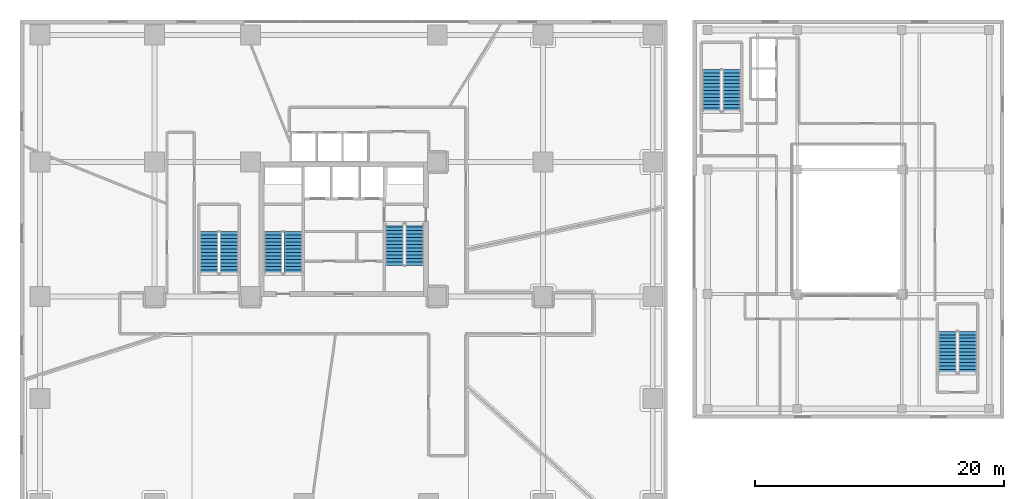
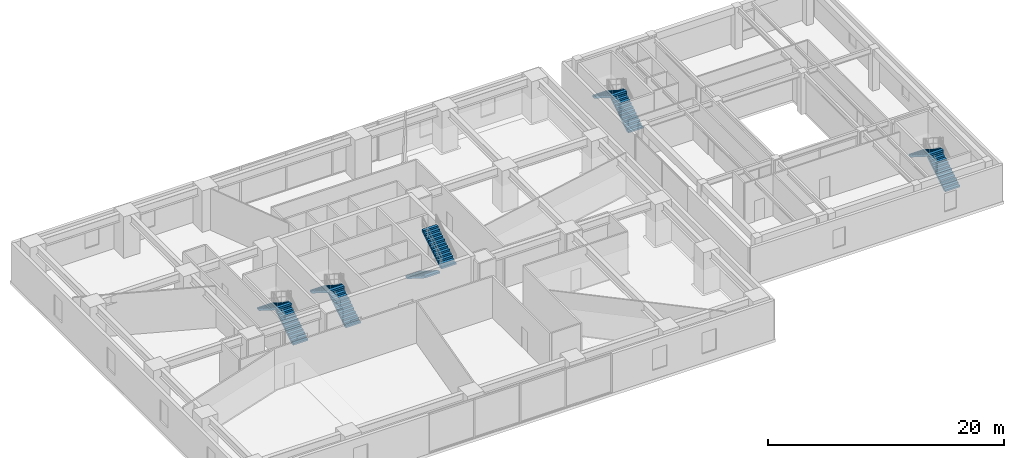
# One storey, part 21 of 24: 10 stair flights, 5 elements without a shape of their own.
"""IFC4 building model written with IfcOpenShell, lengths in metres."""

from ifc_helpers import new_model, si_unit, direction, frame, origin, place, context, subcontext, project, spatial, polyline, outline, extrude, material, layer, layer_set, type_object, element, aggregate, save


model = new_model("IFC4")

# Units and contexts
model_context = context("Model", 3, precision=1e-05, world=origin(), true_north=direction((0.0, 1.0)))
body_context = subcontext(model_context, "Body", "Model", "MODEL_VIEW")
ifc_project = project(units=[si_unit("LENGTHUNIT", "METRE"), si_unit("AREAUNIT", "SQUARE_METRE"), si_unit("VOLUMEUNIT", "CUBIC_METRE"), si_unit("PLANEANGLEUNIT", "RADIAN"), si_unit("MASSUNIT", "GRAM", prefix="KILO")], contexts=[model_context])

# Site, building, storey
site_placement = place(None, origin())
site = spatial("IfcSite", under=ifc_project, at=site_placement, CompositionType="ELEMENT")
building_placement = place(site_placement, origin())
building = spatial("IfcBuilding", under=site, at=building_placement, Name="Talar Marvaseh", CompositionType="ELEMENT")
storey_placement = place(building_placement, frame((0.0, 0.0, 9.800048828125)))
storey = spatial("IfcBuildingStorey", under=building, at=storey_placement, Name="L02", CompositionType="ELEMENT", Elevation=9.800048828125)

# Stair, stair flights
ifc_material = material(Name="Concrete C40/50", Category="concrete")
stair_type = type_object("IfcStairType", Name="Reinforced Concrete Half-Turn Exit Stair Type A", PredefinedType="HALF_TURN_STAIR", material=ifc_material)
stair_1_placement = place(storey_placement, origin())
stair_1 = element("IfcStair", 1, at=stair_1_placement, inside=storey, type_object=stair_type, Name="L02 Tower West Core Exit Stair", PredefinedType="HALF_TURN_STAIR")
ifc_layer = layer(ifc_material, 0.18505859375)
ifc_layer_set = layer_set([ifc_layer], Name="Concrete C40/50")
stair_flight_type = type_object("IfcStairFlightType", Name="Reinforced Concrete Heavy Podium Stair Flight 185", PredefinedType="STRAIGHT", material=ifc_layer_set)
stair_flight_1_placement = place(storey_placement, frame((21.93505859375, 27.64990234375, 0.0), z_axis=(0.0, 0.0, 1.0), x_axis=(0.0, 1.0, 0.0)))
stair_flight_1 = element("IfcStairFlight", 2, at=stair_flight_1_placement, type_object=stair_flight_type, Name="ST-1 flight 1", NumberOfRisers=13, NumberOfTreads=12, PredefinedType="STRAIGHT", RiserHeight=0.176923077, TreadLength=0.28, context=body_context, shape_type="SweptSolid", body=[
    extrude(outline(polyline([(0.0, 0.0), (0.0, 0.177001953125), (0.280029296875, 0.177001953125), (0.280029296875, 0.353759765625), (0.56005859375, 0.353759765625), (0.56005859375, 0.53076171875), (0.840087890625, 0.53076171875), (0.840087890625, 0.707763671875), (1.1201171875, 0.707763671875), (1.1201171875, 0.884521484375), (1.39990234375, 0.884521484375), (1.39990234375, 1.0615234375), (1.679931640625, 1.0615234375), (1.679931640625, 1.238525390625), (1.9599609375, 1.238525390625), (1.9599609375, 1.415283203125), (2.239990234375, 1.415283203125), (2.239990234375, 1.59228515625), (2.52001953125, 1.59228515625), (2.52001953125, 1.769287109375), (2.800048828125, 1.769287109375), (2.800048828125, 1.946044921875), (3.080078125, 1.946044921875), (3.080078125, 2.123046875), (3.360107421875, 2.123046875), (3.360107421875, 2.300048828125), (3.360107421875, 1.933837890625), (0.29931640625, 0.0), (0.0, 0.0)])), frame((0.0, 0.72509765625, 0.0), z_axis=(0.0, -1.0, 0.0), x_axis=(1.0, 0.0, 0.0)), (0.0, 0.0, 1.0), 1.449951171875),
])
stair_flight_2_placement = place(storey_placement, frame((20.324951171875, 31.010009765625, 2.300048828125), z_axis=(0.0, 0.0, 1.0), x_axis=(0.0, -1.0, 0.0)))
stair_flight_2 = element("IfcStairFlight", 3, at=stair_flight_2_placement, type_object=stair_flight_type, Name="ST-1 flight 2", NumberOfRisers=13, NumberOfTreads=12, PredefinedType="STRAIGHT", RiserHeight=0.176923077, TreadLength=0.28, context=body_context, shape_type="SweptSolid", body=[
    extrude(outline(polyline([(0.0, 0.0), (0.0, 0.177001953125), (0.280029296875, 0.177001953125), (0.280029296875, 0.353759765625), (0.56005859375, 0.353759765625), (0.56005859375, 0.53076171875), (0.840087890625, 0.53076171875), (0.840087890625, 0.707763671875), (1.1201171875, 0.707763671875), (1.1201171875, 0.884521484375), (1.39990234375, 0.884521484375), (1.39990234375, 1.0615234375), (1.679931640625, 1.0615234375), (1.679931640625, 1.238525390625), (1.9599609375, 1.238525390625), (1.9599609375, 1.415283203125), (2.239990234375, 1.415283203125), (2.239990234375, 1.59228515625), (2.52001953125, 1.59228515625), (2.52001953125, 1.769287109375), (2.800048828125, 1.769287109375), (2.800048828125, 1.946044921875), (3.080078125, 1.946044921875), (3.080078125, 2.123046875), (3.360107421875, 2.123046875), (3.360107421875, 2.300048828125), (3.360107421875, 1.933837890625), (0.29931640625, 0.0), (0.0, 0.0)])), frame((0.0, 0.72509765625, 0.0), z_axis=(0.0, -1.0, 0.0), x_axis=(1.0, 0.0, 0.0)), (0.0, 0.0, 1.0), 1.449951171875),
])
aggregate(stair_1, [stair_flight_1, stair_flight_2])

stair_2_placement = place(storey_placement, origin())
stair_2 = element("IfcStair", 4, at=stair_2_placement, inside=storey, type_object=stair_type, Name="L02 Tower East Core Exit Stair", PredefinedType="HALF_TURN_STAIR")
stair_flight_3_placement = place(storey_placement, frame((30.06494140625, 31.64990234375, 0.0), z_axis=(0.0, 0.0, 1.0), x_axis=(0.0, -1.0, 0.0)))
stair_flight_3 = element("IfcStairFlight", 5, at=stair_flight_3_placement, type_object=stair_flight_type, Name="ST-2 flight 1", NumberOfRisers=13, NumberOfTreads=12, PredefinedType="STRAIGHT", RiserHeight=0.176923077, TreadLength=0.28, context=body_context, shape_type="SweptSolid", body=[
    extrude(outline(polyline([(0.0, 0.0), (0.0, 0.177001953125), (0.280029296875, 0.177001953125), (0.280029296875, 0.353759765625), (0.56005859375, 0.353759765625), (0.56005859375, 0.53076171875), (0.840087890625, 0.53076171875), (0.840087890625, 0.707763671875), (1.1201171875, 0.707763671875), (1.1201171875, 0.884521484375), (1.39990234375, 0.884521484375), (1.39990234375, 1.0615234375), (1.679931640625, 1.0615234375), (1.679931640625, 1.238525390625), (1.9599609375, 1.238525390625), (1.9599609375, 1.415283203125), (2.239990234375, 1.415283203125), (2.239990234375, 1.59228515625), (2.52001953125, 1.59228515625), (2.52001953125, 1.769287109375), (2.800048828125, 1.769287109375), (2.800048828125, 1.946044921875), (3.080078125, 1.946044921875), (3.080078125, 2.123046875), (3.360107421875, 2.123046875), (3.360107421875, 2.300048828125), (3.360107421875, 1.933837890625), (0.29931640625, 0.0), (0.0, 0.0)])), frame((0.0, 0.72509765625, 0.0), z_axis=(0.0, -1.0, 0.0), x_axis=(1.0, 0.0, 0.0)), (0.0, 0.0, 1.0), 1.449951171875),
])
stair_flight_4_placement = place(storey_placement, frame((31.675048828125, 28.2900390625, 2.300048828125), z_axis=(0.0, 0.0, 1.0), x_axis=(0.0, 1.0, 0.0)))
stair_flight_4 = element("IfcStairFlight", 6, at=stair_flight_4_placement, type_object=stair_flight_type, Name="ST-2 flight 2", NumberOfRisers=13, NumberOfTreads=12, PredefinedType="STRAIGHT", RiserHeight=0.176923077, TreadLength=0.28, context=body_context, shape_type="SweptSolid", body=[
    extrude(outline(polyline([(0.0, 0.0), (0.0, 0.177001953125), (0.280029296875, 0.177001953125), (0.280029296875, 0.353759765625), (0.56005859375, 0.353759765625), (0.56005859375, 0.53076171875), (0.840087890625, 0.53076171875), (0.840087890625, 0.707763671875), (1.1201171875, 0.707763671875), (1.1201171875, 0.884521484375), (1.39990234375, 0.884521484375), (1.39990234375, 1.0615234375), (1.679931640625, 1.0615234375), (1.679931640625, 1.238525390625), (1.9599609375, 1.238525390625), (1.9599609375, 1.415283203125), (2.239990234375, 1.415283203125), (2.239990234375, 1.59228515625), (2.52001953125, 1.59228515625), (2.52001953125, 1.769287109375), (2.800048828125, 1.769287109375), (2.800048828125, 1.946044921875), (3.080078125, 1.946044921875), (3.080078125, 2.123046875), (3.360107421875, 2.123046875), (3.360107421875, 2.300048828125), (3.360107421875, 1.933837890625), (0.29931640625, 0.0), (0.0, 0.0)])), frame((0.0, 0.72509765625, 0.0), z_axis=(0.0, -1.0, 0.0), x_axis=(1.0, 0.0, 0.0)), (0.0, 0.0, 1.0), 1.449951171875),
])
aggregate(stair_2, [stair_flight_3, stair_flight_4])

stair_3_placement = place(storey_placement, origin())
stair_3 = element("IfcStair", 7, at=stair_3_placement, inside=storey, type_object=stair_type, Name="L02 Museum & Podium Auxiliary Exit Stair", PredefinedType="HALF_TURN_STAIR")
stair_flight_5_placement = place(storey_placement, frame((16.77490234375, 27.64990234375, 0.0), z_axis=(0.0, 0.0, 1.0), x_axis=(0.0, 1.0, 0.0)))
stair_flight_5 = element("IfcStairFlight", 8, at=stair_flight_5_placement, type_object=stair_flight_type, Name="ST-3 flight 1", NumberOfRisers=13, NumberOfTreads=12, PredefinedType="STRAIGHT", RiserHeight=0.176923077, TreadLength=0.28, context=body_context, shape_type="SweptSolid", body=[
    extrude(outline(polyline([(0.0, 0.0), (0.0, 0.177001953125), (0.280029296875, 0.177001953125), (0.280029296875, 0.353759765625), (0.56005859375, 0.353759765625), (0.56005859375, 0.53076171875), (0.840087890625, 0.53076171875), (0.840087890625, 0.707763671875), (1.1201171875, 0.707763671875), (1.1201171875, 0.884521484375), (1.39990234375, 0.884521484375), (1.39990234375, 1.0615234375), (1.679931640625, 1.0615234375), (1.679931640625, 1.238525390625), (1.9599609375, 1.238525390625), (1.9599609375, 1.415283203125), (2.239990234375, 1.415283203125), (2.239990234375, 1.59228515625), (2.52001953125, 1.59228515625), (2.52001953125, 1.769287109375), (2.800048828125, 1.769287109375), (2.800048828125, 1.946044921875), (3.080078125, 1.946044921875), (3.080078125, 2.123046875), (3.360107421875, 2.123046875), (3.360107421875, 2.300048828125), (3.360107421875, 1.933837890625), (0.29931640625, 0.0), (0.0, 0.0)])), frame((0.0, 0.72509765625, 0.0), z_axis=(0.0, -1.0, 0.0), x_axis=(1.0, 0.0, 0.0)), (0.0, 0.0, 1.0), 1.449951171875),
])
stair_flight_6_placement = place(storey_placement, frame((15.1650390625, 31.010009765625, 2.300048828125), z_axis=(0.0, 0.0, 1.0), x_axis=(0.0, -1.0, 0.0)))
stair_flight_6 = element("IfcStairFlight", 9, at=stair_flight_6_placement, type_object=stair_flight_type, Name="ST-3 flight 2", NumberOfRisers=13, NumberOfTreads=12, PredefinedType="STRAIGHT", RiserHeight=0.176923077, TreadLength=0.28, context=body_context, shape_type="SweptSolid", body=[
    extrude(outline(polyline([(0.0, 0.0), (0.0, 0.177001953125), (0.280029296875, 0.177001953125), (0.280029296875, 0.353759765625), (0.56005859375, 0.353759765625), (0.56005859375, 0.53076171875), (0.840087890625, 0.53076171875), (0.840087890625, 0.707763671875), (1.1201171875, 0.707763671875), (1.1201171875, 0.884521484375), (1.39990234375, 0.884521484375), (1.39990234375, 1.0615234375), (1.679931640625, 1.0615234375), (1.679931640625, 1.238525390625), (1.9599609375, 1.238525390625), (1.9599609375, 1.415283203125), (2.239990234375, 1.415283203125), (2.239990234375, 1.59228515625), (2.52001953125, 1.59228515625), (2.52001953125, 1.769287109375), (2.800048828125, 1.769287109375), (2.800048828125, 1.946044921875), (3.080078125, 1.946044921875), (3.080078125, 2.123046875), (3.360107421875, 2.123046875), (3.360107421875, 2.300048828125), (3.360107421875, 1.933837890625), (0.29931640625, 0.0), (0.0, 0.0)])), frame((0.0, 0.72509765625, 0.0), z_axis=(0.0, -1.0, 0.0), x_axis=(1.0, 0.0, 0.0)), (0.0, 0.0, 1.0), 1.449951171875),
])
aggregate(stair_3, [stair_flight_5, stair_flight_6])

stair_4_placement = place(storey_placement, origin())
stair_4 = element("IfcStair", 10, at=stair_4_placement, inside=storey, type_object=stair_type, Name="L02 Market Hall North-West Exit Stair", PredefinedType="HALF_TURN_STAIR")
stair_flight_7_placement = place(storey_placement, frame((57.135009765625, 40.64990234375, 0.0), z_axis=(0.0, 0.0, 1.0), x_axis=(0.0, 1.0, 0.0)))
stair_flight_7 = element("IfcStairFlight", 11, at=stair_flight_7_placement, type_object=stair_flight_type, Name="MH-ST1 flight 1", NumberOfRisers=13, NumberOfTreads=12, PredefinedType="STRAIGHT", RiserHeight=0.176923077, TreadLength=0.28, context=body_context, shape_type="SweptSolid", body=[
    extrude(outline(polyline([(0.0, 0.0), (0.0, 0.177001953125), (0.280029296875, 0.177001953125), (0.280029296875, 0.353759765625), (0.56005859375, 0.353759765625), (0.56005859375, 0.53076171875), (0.840087890625, 0.53076171875), (0.840087890625, 0.707763671875), (1.1201171875, 0.707763671875), (1.1201171875, 0.884521484375), (1.39990234375, 0.884521484375), (1.39990234375, 1.0615234375), (1.679931640625, 1.0615234375), (1.679931640625, 1.238525390625), (1.9599609375, 1.238525390625), (1.9599609375, 1.415283203125), (2.239990234375, 1.415283203125), (2.239990234375, 1.59228515625), (2.52001953125, 1.59228515625), (2.52001953125, 1.769287109375), (2.800048828125, 1.769287109375), (2.800048828125, 1.946044921875), (3.080078125, 1.946044921875), (3.080078125, 2.123046875), (3.360107421875, 2.123046875), (3.360107421875, 2.300048828125), (3.360107421875, 1.933837890625), (0.29931640625, 0.0), (0.0, 0.0)])), frame((0.0, 0.72509765625, 0.0), z_axis=(0.0, -1.0, 0.0), x_axis=(1.0, 0.0, 0.0)), (0.0, 0.0, 1.0), 1.449951171875),
])
stair_flight_8_placement = place(storey_placement, frame((55.52490234375, 44.010009765625, 2.300048828125), z_axis=(0.0, 0.0, 1.0), x_axis=(0.0, -1.0, 0.0)))
stair_flight_8 = element("IfcStairFlight", 12, at=stair_flight_8_placement, type_object=stair_flight_type, Name="MH-ST1 flight 2", NumberOfRisers=13, NumberOfTreads=12, PredefinedType="STRAIGHT", RiserHeight=0.176923077, TreadLength=0.28, context=body_context, shape_type="SweptSolid", body=[
    extrude(outline(polyline([(0.0, 0.0), (0.0, 0.177001953125), (0.280029296875, 0.177001953125), (0.280029296875, 0.353759765625), (0.56005859375, 0.353759765625), (0.56005859375, 0.53076171875), (0.840087890625, 0.53076171875), (0.840087890625, 0.707763671875), (1.1201171875, 0.707763671875), (1.1201171875, 0.884521484375), (1.39990234375, 0.884521484375), (1.39990234375, 1.0615234375), (1.679931640625, 1.0615234375), (1.679931640625, 1.238525390625), (1.9599609375, 1.238525390625), (1.9599609375, 1.415283203125), (2.239990234375, 1.415283203125), (2.239990234375, 1.59228515625), (2.52001953125, 1.59228515625), (2.52001953125, 1.769287109375), (2.800048828125, 1.769287109375), (2.800048828125, 1.946044921875), (3.080078125, 1.946044921875), (3.080078125, 2.123046875), (3.360107421875, 2.123046875), (3.360107421875, 2.300048828125), (3.360107421875, 1.933837890625), (0.29931640625, 0.0), (0.0, 0.0)])), frame((0.0, 0.72509765625, 0.0), z_axis=(0.0, -1.0, 0.0), x_axis=(1.0, 0.0, 0.0)), (0.0, 0.0, 1.0), 1.449951171875),
])
aggregate(stair_4, [stair_flight_7, stair_flight_8])

stair_5_placement = place(storey_placement, origin())
stair_5 = element("IfcStair", 13, at=stair_5_placement, inside=storey, type_object=stair_type, Name="L02 Market Hall South-East Exit Stair", PredefinedType="HALF_TURN_STAIR")
stair_flight_9_placement = place(storey_placement, frame((76.074951171875, 19.64990234375, 0.0), z_axis=(0.0, 0.0, 1.0), x_axis=(0.0, 1.0, 0.0)))
stair_flight_9 = element("IfcStairFlight", 14, at=stair_flight_9_placement, type_object=stair_flight_type, Name="MH-ST2 flight 1", NumberOfRisers=13, NumberOfTreads=12, PredefinedType="STRAIGHT", RiserHeight=0.176923077, TreadLength=0.28, context=body_context, shape_type="SweptSolid", body=[
    extrude(outline(polyline([(0.0, 0.0), (0.0, 0.177001953125), (0.280029296875, 0.177001953125), (0.280029296875, 0.353759765625), (0.56005859375, 0.353759765625), (0.56005859375, 0.53076171875), (0.840087890625, 0.53076171875), (0.840087890625, 0.707763671875), (1.1201171875, 0.707763671875), (1.1201171875, 0.884521484375), (1.39990234375, 0.884521484375), (1.39990234375, 1.0615234375), (1.679931640625, 1.0615234375), (1.679931640625, 1.238525390625), (1.9599609375, 1.238525390625), (1.9599609375, 1.415283203125), (2.239990234375, 1.415283203125), (2.239990234375, 1.59228515625), (2.52001953125, 1.59228515625), (2.52001953125, 1.769287109375), (2.800048828125, 1.769287109375), (2.800048828125, 1.946044921875), (3.080078125, 1.946044921875), (3.080078125, 2.123046875), (3.360107421875, 2.123046875), (3.360107421875, 2.300048828125), (3.360107421875, 1.933837890625), (0.29931640625, 0.0), (0.0, 0.0)])), frame((0.0, 0.72509765625, 0.0), z_axis=(0.0, -1.0, 0.0), x_axis=(1.0, 0.0, 0.0)), (0.0, 0.0, 1.0), 1.449951171875),
])
stair_flight_10_placement = place(storey_placement, frame((74.465087890625, 23.010009765625, 2.300048828125), z_axis=(0.0, 0.0, 1.0), x_axis=(0.0, -1.0, 0.0)))
stair_flight_10 = element("IfcStairFlight", 15, at=stair_flight_10_placement, type_object=stair_flight_type, Name="MH-ST2 flight 2", NumberOfRisers=13, NumberOfTreads=12, PredefinedType="STRAIGHT", RiserHeight=0.176923077, TreadLength=0.28, context=body_context, shape_type="SweptSolid", body=[
    extrude(outline(polyline([(0.0, 0.0), (0.0, 0.177001953125), (0.280029296875, 0.177001953125), (0.280029296875, 0.353759765625), (0.56005859375, 0.353759765625), (0.56005859375, 0.53076171875), (0.840087890625, 0.53076171875), (0.840087890625, 0.707763671875), (1.1201171875, 0.707763671875), (1.1201171875, 0.884521484375), (1.39990234375, 0.884521484375), (1.39990234375, 1.0615234375), (1.679931640625, 1.0615234375), (1.679931640625, 1.238525390625), (1.9599609375, 1.238525390625), (1.9599609375, 1.415283203125), (2.239990234375, 1.415283203125), (2.239990234375, 1.59228515625), (2.52001953125, 1.59228515625), (2.52001953125, 1.769287109375), (2.800048828125, 1.769287109375), (2.800048828125, 1.946044921875), (3.080078125, 1.946044921875), (3.080078125, 2.123046875), (3.360107421875, 2.123046875), (3.360107421875, 2.300048828125), (3.360107421875, 1.933837890625), (0.29931640625, 0.0), (0.0, 0.0)])), frame((0.0, 0.72509765625, 0.0), z_axis=(0.0, -1.0, 0.0), x_axis=(1.0, 0.0, 0.0)), (0.0, 0.0, 1.0), 1.449951171875),
])
aggregate(stair_5, [stair_flight_9, stair_flight_10])

save(model, "model.ifc")
